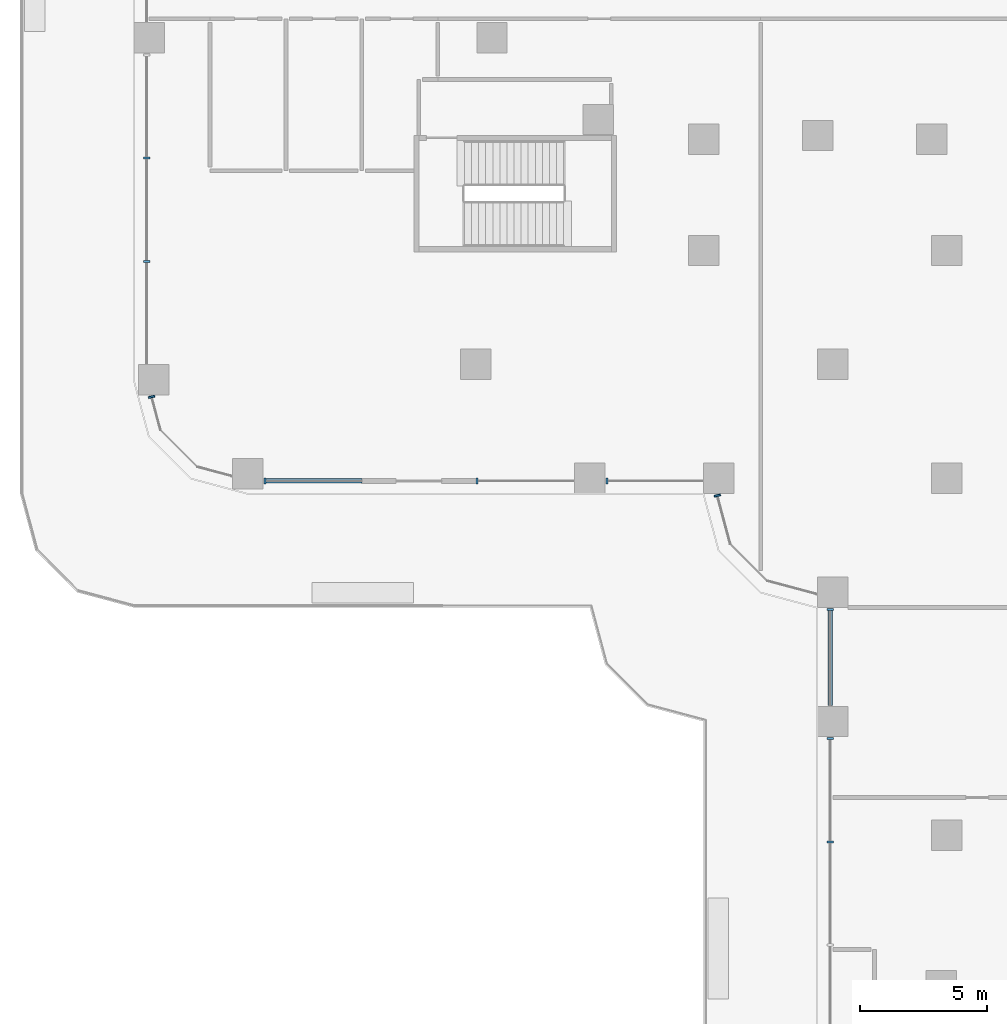
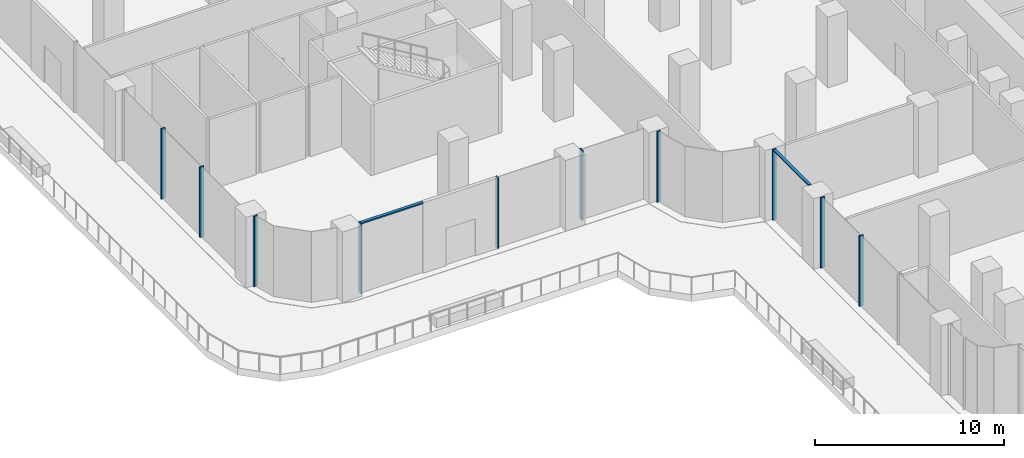
# One storey, part 3 of 29: 12 members, 5 elements without a shape of their own.
"""IFC4 building model written with IfcOpenShell, lengths in metres."""

from ifc_helpers import new_model, si_unit, direction, frame, origin, place, context, subcontext, project, spatial, polyline, outline, extrude, source, transform, mapped, material, type_object, element, aggregate, save


model = new_model("IFC4")

# Units and contexts
model_context = context("Model", 3, precision=1e-05, world=origin(), true_north=direction((0.0, 1.0)))
body_context = subcontext(model_context, "Body", "Model", "MODEL_VIEW")
ifc_project = project(units=[si_unit("LENGTHUNIT", "METRE"), si_unit("AREAUNIT", "SQUARE_METRE"), si_unit("VOLUMEUNIT", "CUBIC_METRE"), si_unit("PLANEANGLEUNIT", "RADIAN"), si_unit("MASSUNIT", "GRAM", prefix="KILO")], contexts=[model_context])

# Site, building, storey
site_placement = place(None, origin())
site = spatial("IfcSite", under=ifc_project, at=site_placement, CompositionType="ELEMENT")
building_placement = place(site_placement, origin())
building = spatial("IfcBuilding", under=site, at=building_placement, Name="Zarbagh Exchange Tower", CompositionType="ELEMENT")
storey_placement = place(building_placement, frame((0.0, 0.0, 12.0)))
storey = spatial("IfcBuildingStorey", under=building, at=storey_placement, Name="L02", CompositionType="ELEMENT", Elevation=12.0)

# Curtain wall, member
ifc_material_1 = material(Name="Anodised aluminium frame and glazing", Category="aluminium")
curtain_wall_type = type_object("IfcCurtainWallType", Name="CWC Podium garden-wall glazing", PredefinedType="NOTDEFINED", material=ifc_material_1)
curtain_wall_1_placement = place(storey_placement, origin())
curtain_wall_1 = element("IfcCurtainWall", 1, at=curtain_wall_1_placement, inside=storey, type_object=curtain_wall_type, Name="CWC142 curtain wall", PredefinedType="NOTDEFINED")
ifc_material_2 = material(Name="Anodised aluminium frame", Category="aluminium")
member_type_1 = type_object("IfcMemberType", Name="TRC Transom, anodised aluminium frame", PredefinedType="USERDEFINED", material=ifc_material_2)
shared_shape_1 = source(origin(), body_context, "Body", "SweptSolid", [
    extrude(outline(polyline([(-0.080078125, -0.090087890625), (0.0, -0.090087890625), (0.0, 0.090087890625), (-0.080078125, 0.090087890625), (-0.080078125, -0.090087890625)])), origin(), (0.0, 0.0, 1.0), 3.739990234375),
])
placement = place(storey_placement, origin())
member_1 = element("IfcMember", 2, at=placement, type_object=member_type_1, Name="CWC142 transom 1.1", ObjectType="TRANSOM", PredefinedType="USERDEFINED", context=body_context, shape_type="MappedRepresentation", body=[
    mapped(shared_shape_1, transform((-19.75, -24.8701171875, 4.550048828125), x_axis=(0.0, 0.0, 1.0), y_axis=(-1.0, 0.0, 0.0), z_axis=(0.0, -1.0, 0.0))),
])

# Curtain wall, members
curtain_wall_2_placement = place(storey_placement, origin())
curtain_wall_2 = element("IfcCurtainWall", 3, at=curtain_wall_2_placement, inside=storey, type_object=curtain_wall_type, Name="CWC134 curtain wall", PredefinedType="NOTDEFINED")
member_type_2 = type_object("IfcMemberType", Name="MUC Mullion, anodised aluminium frame", PredefinedType="MULLION", material=ifc_material_2)
shared_shape_2 = source(origin(), body_context, "Body", "SweptSolid", [
    extrude(outline(polyline([(0.0, -0.125), (0.080078125, -0.125), (0.080078125, 0.125), (0.0, 0.125), (0.0, -0.125)])), origin(), (0.0, 0.0, 1.0), 4.550048828125),
])
member_2 = element("IfcMember", 4, at=placement, type_object=member_type_2, Name="CWC134 mullion 4.2", PredefinedType="MULLION", context=body_context, shape_type="MappedRepresentation", body=[
    mapped(shared_shape_2, transform((-46.75, -6.96337890625, 0.0), x_axis=(0.0, -1.0, 0.0), y_axis=(1.0, 0.0, 0.0), z_axis=(0.0, 0.0, 1.0))),
])
member_3 = element("IfcMember", 5, at=placement, type_object=member_type_2, Name="CWC134 mullion 4.3", PredefinedType="MULLION", context=body_context, shape_type="MappedRepresentation", body=[
    mapped(shared_shape_2, transform((-46.75, -11.03662109375, 0.0), x_axis=(0.0, -1.0, 0.0), y_axis=(1.0, 0.0, 0.0), z_axis=(0.0, 0.0, 1.0))),
])
aggregate(curtain_wall_2, [member_2, member_3])

# Curtain wall, member
curtain_wall_3_placement = place(storey_placement, origin())
curtain_wall_3 = element("IfcCurtainWall", 6, at=curtain_wall_3_placement, inside=storey, type_object=curtain_wall_type, Name="CWC135 curtain wall", PredefinedType="NOTDEFINED")
member_4 = element("IfcMember", 7, at=placement, type_object=member_type_2, Name="CWC135 mullion 1.1", PredefinedType="MULLION", context=body_context, shape_type="MappedRepresentation", body=[
    mapped(shared_shape_2, transform((-46.560791015625, -16.389892578125, 0.0), x_axis=(0.258824779902, -0.965924289636, 0.0), y_axis=(0.965924289636, 0.258824779902, 0.0), z_axis=(0.0, 0.0, 1.0))),
])
aggregate(curtain_wall_3, [member_4])

# Curtain wall, members
curtain_wall_4_placement = place(storey_placement, origin())
curtain_wall_4 = element("IfcCurtainWall", 8, at=curtain_wall_4_placement, inside=storey, type_object=curtain_wall_type, Name="CWC138 curtain wall", PredefinedType="NOTDEFINED")
member_5 = element("IfcMember", 9, at=placement, type_object=member_type_2, Name="CWC138 mullion 1.1", PredefinedType="MULLION", context=body_context, shape_type="MappedRepresentation", body=[
    mapped(shared_shape_2, transform((-42.10986328125, -19.75, 0.0), x_axis=(1.0, 0.0, 0.0), y_axis=(0.0, 1.0, 0.0), z_axis=(0.0, 0.0, 1.0))),
])
member_6 = element("IfcMember", 10, at=placement, type_object=member_type_2, Name="CWC138 mullion 2.1", PredefinedType="MULLION", context=body_context, shape_type="MappedRepresentation", body=[
    mapped(shared_shape_2, transform((-33.75, -19.75, 0.0), x_axis=(1.0, 0.0, 0.0), y_axis=(0.0, 1.0, 0.0), z_axis=(0.0, 0.0, 1.0))),
])
member_7 = element("IfcMember", 11, at=placement, type_object=member_type_2, Name="CWC138 mullion 3.1", PredefinedType="MULLION", context=body_context, shape_type="MappedRepresentation", body=[
    mapped(shared_shape_2, transform((-28.60986328125, -19.75, 0.0), x_axis=(1.0, 0.0, 0.0), y_axis=(0.0, 1.0, 0.0), z_axis=(0.0, 0.0, 1.0))),
])

# Curtain wall, member
curtain_wall_5_placement = place(storey_placement, origin())
curtain_wall_5 = element("IfcCurtainWall", 12, at=curtain_wall_5_placement, inside=storey, type_object=curtain_wall_type, Name="CWC139 curtain wall", PredefinedType="NOTDEFINED")
member_8 = element("IfcMember", 13, at=placement, type_object=member_type_2, Name="CWC139 mullion 1.1", PredefinedType="MULLION", context=body_context, shape_type="MappedRepresentation", body=[
    mapped(shared_shape_2, transform((-24.2216796875, -20.2900390625, 0.0), x_axis=(0.258824779902, -0.965924289636, 0.0), y_axis=(0.965924289636, 0.258824779902, 0.0), z_axis=(0.0, 0.0, 1.0))),
])
aggregate(curtain_wall_5, [member_8])

# Member
member_9 = element("IfcMember", 14, at=placement, type_object=member_type_2, Name="CWC142 mullion 1.1", PredefinedType="MULLION", context=body_context, shape_type="MappedRepresentation", body=[
    mapped(shared_shape_2, transform((-19.75, -24.7900390625, 0.0), x_axis=(0.0, -1.0, 0.0), y_axis=(1.0, 0.0, 0.0), z_axis=(0.0, 0.0, 1.0))),
])

member_10 = element("IfcMember", 15, at=placement, type_object=member_type_2, Name="CWC142 mullion 2.1", PredefinedType="MULLION", context=body_context, shape_type="MappedRepresentation", body=[
    mapped(shared_shape_2, transform((-19.75, -29.89013671875, 0.0), x_axis=(0.0, -1.0, 0.0), y_axis=(1.0, 0.0, 0.0), z_axis=(0.0, 0.0, 1.0))),
])

member_11 = element("IfcMember", 16, at=placement, type_object=member_type_2, Name="CWC142 mullion 2.2", PredefinedType="MULLION", context=body_context, shape_type="MappedRepresentation", body=[
    mapped(shared_shape_2, transform((-19.75, -33.96337890625, 0.0), x_axis=(0.0, -1.0, 0.0), y_axis=(1.0, 0.0, 0.0), z_axis=(0.0, 0.0, 1.0))),
])

aggregate(curtain_wall_1, [member_9, member_1, member_10, member_11])

shared_shape_3 = source(origin(), body_context, "Body", "SweptSolid", [
    extrude(outline(polyline([(-0.080078125, -0.090087890625), (0.0, -0.090087890625), (0.0, 0.090087890625), (-0.080078125, 0.090087890625), (-0.080078125, -0.090087890625)])), origin(), (0.0, 0.0, 1.0), 3.780029296875),
])
member_12 = element("IfcMember", 17, at=placement, type_object=member_type_1, Name="CWC138 transom 1.1", ObjectType="TRANSOM", PredefinedType="USERDEFINED", context=body_context, shape_type="MappedRepresentation", body=[
    mapped(shared_shape_3, transform((-42.030029296875, -19.75, 4.550048828125), x_axis=(0.0, 0.0, 1.0), y_axis=(0.0, -1.0, 0.0), z_axis=(1.0, 0.0, 0.0))),
])

aggregate(curtain_wall_4, [member_5, member_12, member_6, member_7])

save(model, "model.ifc")
